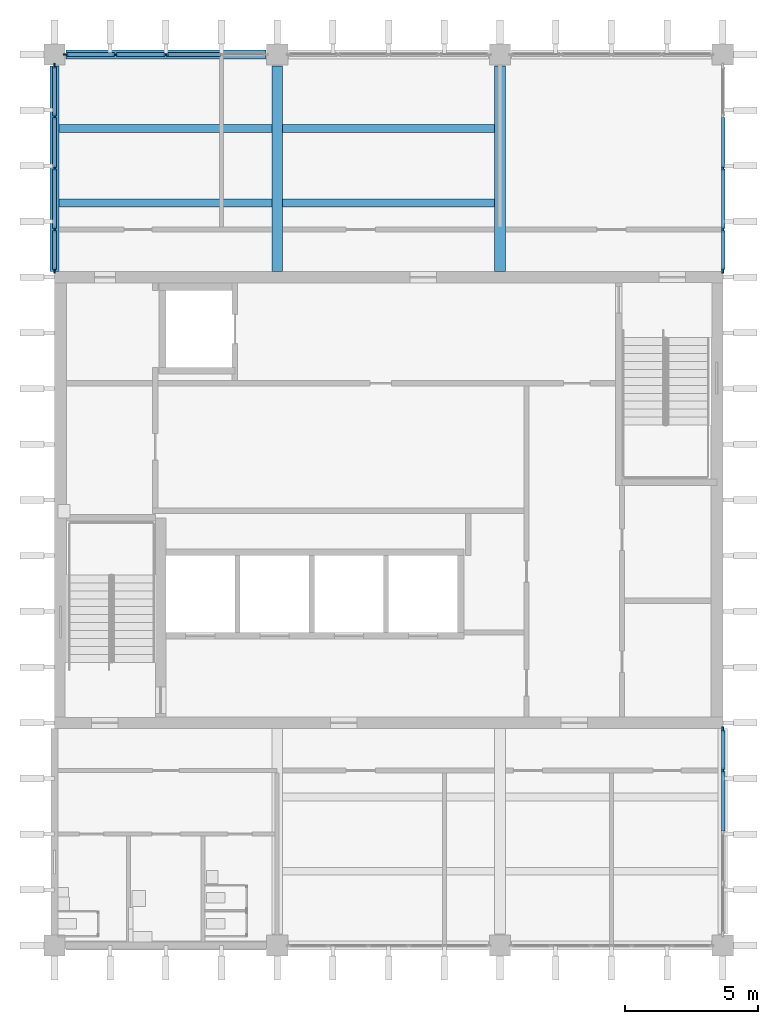
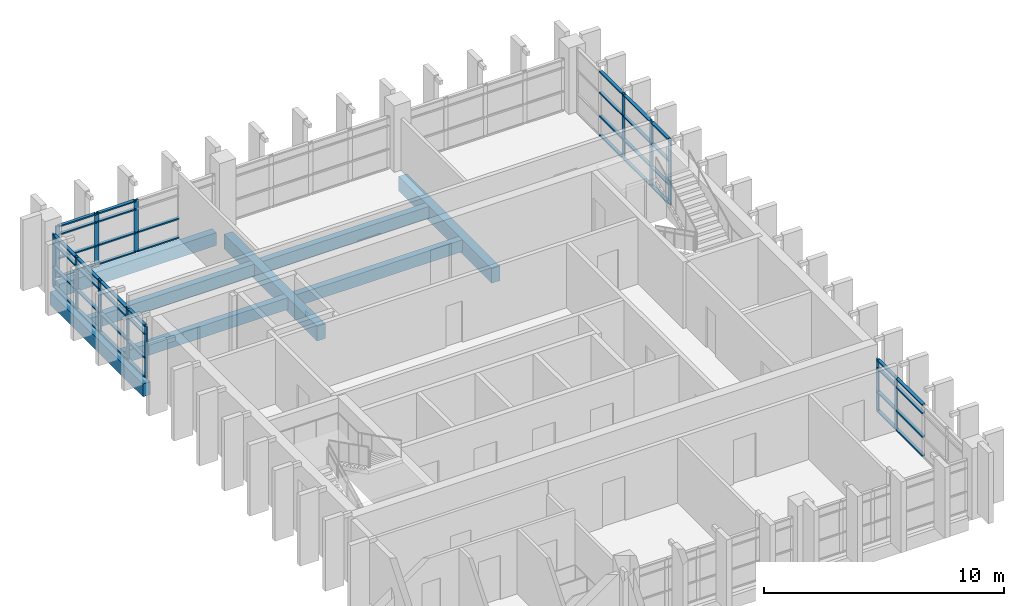
# One storey, part 3 of 11: 59 members, 8 beams, 4 elements without a shape of their own.
"""IFC4 building model written with IfcOpenShell, lengths in metres."""

import ifcopenshell
import ifcopenshell.guid

model = None  # the IFC model being written
_history = None  # IfcOwnerHistory: only IFC2X3 demands one
_inside = {}  # id of a spatial element -> (the spatial element, [elements in it])
_under = {}  # id of a project, library or spatial element -> (it, [spatial elements below it])
_declared = {}  # id of a project -> (the project, [libraries it declares])
_typed = {}  # id of a type object -> (the type object, [elements of that type])
_made_of = {}  # id of a material, layer set ... -> (it, [elements and type objects made of it])


def new_model(schema):
    """Start an empty IFC model of exactly this schema.

    Asked for "IFC4X3", IfcOpenShell would pick the latest addendum, in which some entities
    have other attributes; the version numbers below select the first issue.
    IFC2X3 requires an IfcOwnerHistory on every rooted entity: one is made here for all.
    """
    global model, _history
    if schema == "IFC4X3":
        model = ifcopenshell.file(schema_version=(4, 3, 0, 0))
    else:
        model = ifcopenshell.file(schema=schema)
    _inside.clear()
    _under.clear()
    _declared.clear()
    _typed.clear()
    _made_of.clear()
    _history = None
    if model.schema == "IFC2X3":
        org = make("IfcOrganization", Name="unknown")
        user = make(
            "IfcPersonAndOrganization",
            ThePerson=make("IfcPerson", FamilyName="unknown"),
            TheOrganization=org,
        )
        app = make(
            "IfcApplication",
            ApplicationDeveloper=org,
            Version="unknown",
            ApplicationFullName="unknown",
            ApplicationIdentifier="unknown",
        )
        _history = make(
            "IfcOwnerHistory",
            OwningUser=user,
            OwningApplication=app,
            ChangeAction="ADDED",
            CreationDate=0,
        )
    return model


def make(cls, **values):
    """One entity of the class cls with the attributes given. An attribute that is None is left unset."""
    return model.create_entity(
        cls, **{name: value for name, value in values.items() if value is not None}
    )


def rooted(cls, **values):
    """An entity with a GlobalId (a new one), such as an element, a storey or a relation."""
    return make(cls, GlobalId=ifcopenshell.guid.new(), OwnerHistory=_history, **values)


def si_unit(unit_type, name, prefix=None):
    """IfcSIUnit, for example si_unit("LENGTHUNIT", "METRE", prefix="MILLI")."""
    return make("IfcSIUnit", UnitType=unit_type, Prefix=prefix, Name=name)


def assignment(units):
    """IfcUnitAssignment: the units of a project."""
    return None if units is None else make("IfcUnitAssignment", Units=units)


def point(xyz):
    """IfcCartesianPoint."""
    return None if xyz is None else make("IfcCartesianPoint", Coordinates=xyz)


def direction(xyz):
    """IfcDirection."""
    return None if xyz is None else make("IfcDirection", DirectionRatios=xyz)


def frame(location, z_axis=None, x_axis=None):
    """IfcAxis2Placement3D, a coordinate frame: its origin and axes. An axis left out is left unset."""
    return make(
        "IfcAxis2Placement3D",
        Location=point(location),
        Axis=direction(z_axis),
        RefDirection=direction(x_axis),
    )


def frame_2d(location, x_axis=None):
    """IfcAxis2Placement2D, a coordinate frame in the plane: its origin and x axis."""
    return make(
        "IfcAxis2Placement2D", Location=point(location), RefDirection=direction(x_axis)
    )


def origin():
    """The frame at (0, 0, 0) with its axes left unset."""
    return frame((0.0, 0.0, 0.0))


def origin_2d():
    """The frame at (0, 0) in the plane with its x axis left unset."""
    return frame_2d((0.0, 0.0))


def place(relative_to, where):
    """IfcLocalPlacement: puts the frame where relative to a parent placement (None: the world)."""
    return make(
        "IfcLocalPlacement", PlacementRelTo=relative_to, RelativePlacement=where
    )


def context(
    kind, dimensions, precision=None, world=None, true_north=None, identifier=None
):
    """IfcGeometricRepresentationContext, for example the 3D "Model" context."""
    return make(
        "IfcGeometricRepresentationContext",
        ContextIdentifier=identifier,
        ContextType=kind,
        CoordinateSpaceDimension=dimensions,
        Precision=precision,
        WorldCoordinateSystem=world,
        TrueNorth=true_north,
    )


def subcontext(parent, identifier, kind, view, scale=None):
    """IfcGeometricRepresentationSubContext, for example "Body" below "Model"."""
    return make(
        "IfcGeometricRepresentationSubContext",
        ContextIdentifier=identifier,
        ContextType=kind,
        ParentContext=parent,
        TargetScale=scale,
        TargetView=view,
    )


def project(units=None, contexts=None):
    """IfcProject with its units and contexts."""
    return rooted(
        "IfcProject",
        Name="project",
        RepresentationContexts=contexts,
        UnitsInContext=assignment(units),
    )


def spatial(cls, under=None, at=None, **own):
    """A site, building, storey or space (cls), placed at a placement, below another one or the project."""
    s = rooted(cls, ObjectPlacement=at, **own)
    if under is not None:
        _under.setdefault(under.id(), (under, []))[1].append(s)
    return s


def profile(cls, at=None, kind="AREA", **sizes):
    """A parametric profile (cls). Its sizes go by their IFC names, for example OverallWidth=200.0."""
    return make(cls, ProfileType=kind, Position=at, **sizes)


def rectangle(**sizes):
    """IfcRectangleProfileDef."""
    return profile("IfcRectangleProfileDef", **sizes)


def extrude(swept, where, along, depth):
    """IfcExtrudedAreaSolid: the profile swept, set in the frame where, extruded along a direction by depth."""
    return make(
        "IfcExtrudedAreaSolid",
        SweptArea=swept,
        Position=where,
        ExtrudedDirection=direction(along),
        Depth=depth,
    )


def shape(context_of_items, identifier, shape_type, items):
    """IfcShapeRepresentation: the items that make up one representation, for example the "Body"."""
    return make(
        "IfcShapeRepresentation",
        ContextOfItems=context_of_items,
        RepresentationIdentifier=identifier,
        RepresentationType=shape_type,
        Items=items,
    )


def material(Name=None, Category=None):
    """IfcMaterial."""
    return make("IfcMaterial", Name=Name, Category=Category)


def layer(
    of_material, thickness, ventilated=None, Name=None, Category=None, Priority=None
):
    """IfcMaterialLayer: one layer of a wall or slab, of a material (None: an air gap)."""
    return make(
        "IfcMaterialLayer",
        Material=of_material,
        LayerThickness=thickness,
        IsVentilated=ventilated,
        Name=Name,
        Category=Category,
        Priority=Priority,
    )


def layer_set(layers, Name=None):
    """IfcMaterialLayerSet."""
    return make("IfcMaterialLayerSet", MaterialLayers=layers, LayerSetName=Name)


def material_profile(
    of_material, cross_section, Name=None, Category=None, Priority=None
):
    """IfcMaterialProfile: a cross section and its material."""
    return make(
        "IfcMaterialProfile",
        Name=Name,
        Material=of_material,
        Profile=cross_section,
        Priority=Priority,
        Category=Category,
    )


def profile_set(profiles, Name=None, composite=None):
    """IfcMaterialProfileSet."""
    return make(
        "IfcMaterialProfileSet",
        Name=Name,
        MaterialProfiles=profiles,
        CompositeProfile=composite,
    )


def made_of(thing, what):
    """Note that an element or type object is made of a material, layer set ...; save() writes the relation."""
    if what is not None:
        _made_of.setdefault(what.id(), (what, []))[1].append(thing)
    return thing


def type_object(cls, material=None, **own):
    """A type object (cls), such as IfcWallType, which elements share."""
    return made_of(rooted(cls, **own), material)


def element(
    cls,
    number,
    at=None,
    inside=None,
    cuts=None,
    type_object=None,
    material=None,
    context=None,
    identifier="Body",
    shape_type=None,
    held_by="IfcProductDefinitionShape",
    body=None,
    shapes=None,
    **own,
):
    """One element of the class cls, such as IfcWall. Its Tag is "e" and its number.

    at: its placement. inside: the storey or other place that contains it. cuts: it is an
    opening in that element (IfcRelVoidsElement). A single representation is given by context,
    identifier, shape_type and body (its items); several are given by shapes. held_by: the class
    of the entity that holds the representations. save() writes the other relations.
    """
    e = rooted(cls, Tag="e%d" % number, ObjectPlacement=at, **own)
    if body is not None:
        shapes = [shape(context, identifier, shape_type, body)]
    if shapes is not None:
        e.Representation = make(held_by, Representations=shapes)
    if inside is not None:
        _inside.setdefault(inside.id(), (inside, []))[1].append(e)
    if cuts is not None:
        rooted(
            "IfcRelVoidsElement", RelatingBuildingElement=cuts, RelatedOpeningElement=e
        )
    if type_object is not None:
        _typed.setdefault(type_object.id(), (type_object, []))[1].append(e)
    return made_of(e, material)


def aggregate(whole, parts):
    """IfcRelAggregates: a whole, such as a stair, and the parts it consists of."""
    return rooted("IfcRelAggregates", RelatingObject=whole, RelatedObjects=parts)


def save(model, path):
    """Write the relations noted so far, then the file.

    IfcRelAggregates (storeys below a building ...), IfcRelContainedInSpatialStructure (elements
    in a storey), IfcRelDefinesByType, IfcRelAssociatesMaterial and IfcRelDeclares: one each for
    every whole, place, type object, material and project.
    """
    for whole, parts in _under.values():
        aggregate(whole, parts)
    for where, things in _inside.values():
        rooted(
            "IfcRelContainedInSpatialStructure",
            RelatedElements=things,
            RelatingStructure=where,
        )
    for kind, things in _typed.values():
        rooted("IfcRelDefinesByType", RelatedObjects=things, RelatingType=kind)
    for what, things in _made_of.values():
        rooted("IfcRelAssociatesMaterial", RelatedObjects=things, RelatingMaterial=what)
    for by, libraries in _declared.values():
        rooted("IfcRelDeclares", RelatingContext=by, RelatedDefinitions=libraries)
    model.write(path)


model = new_model("IFC4")

# Units and contexts
model_context = context("Model", 3, precision=1e-05, world=origin(), true_north=direction((0.0, 1.0)))
body_context = subcontext(model_context, "Body", "Model", "MODEL_VIEW")
ifc_project = project(units=[si_unit("LENGTHUNIT", "METRE"), si_unit("AREAUNIT", "SQUARE_METRE"), si_unit("VOLUMEUNIT", "CUBIC_METRE"), si_unit("PLANEANGLEUNIT", "RADIAN"), si_unit("MASSUNIT", "GRAM", prefix="KILO")], contexts=[model_context])

# Site, building, storey
site_placement = place(None, origin())
site = spatial("IfcSite", under=ifc_project, at=site_placement, CompositionType="ELEMENT")
building_placement = place(site_placement, origin())
building = spatial("IfcBuilding", under=site, at=building_placement, Name="Rulbaag Community and Learning Centre", CompositionType="ELEMENT")
storey_placement = place(building_placement, frame((0.0, 0.0, 36.0)))
storey = spatial("IfcBuildingStorey", under=building, at=storey_placement, Name="L09", CompositionType="ELEMENT", Elevation=36.0)

# Beams
ifc_material_1 = material(Name="Concrete M40", Category="concrete")
ifc_material_profile_1 = material_profile(ifc_material_1, rectangle(XDim=0.35009765625, YDim=0.64990234375, at=origin_2d()), Name="RB350x650")
ifc_profile_set_1 = profile_set([ifc_material_profile_1], Name="Concrete M40")
beam_type_1 = type_object("IfcBeamType", Name="B14 Tower edge beam, upper zone 350x650 Concrete M40", PredefinedType="BEAM", material=ifc_profile_set_1)
beam_1_placement = place(storey_placement, frame((142.800048828125, 109.425048828125, -0.574951171875), z_axis=(0.0, 1.0, 0.0), x_axis=(-1.0, 0.0, 0.0)))
element("IfcBeam", 1, at=beam_1_placement, inside=storey, type_object=beam_type_1, Name="BM-L09-18N-18O", PredefinedType="BEAM", context=body_context, shape_type="SweptSolid", body=[
    extrude(rectangle(XDim=0.35009765625, YDim=0.64990234375, at=origin_2d()), origin(), (0.0, 0.0, 1.0), 7.744873046875),
])
beam_2_placement = place(storey_placement, frame((143.22998046875, 117.60009765625, -0.574951171875), z_axis=(1.0, 0.0, 0.0), x_axis=(0.0, 1.0, 0.0)))
element("IfcBeam", 2, at=beam_2_placement, inside=storey, type_object=beam_type_1, Name="BM-L09-18O-19O", PredefinedType="BEAM", context=body_context, shape_type="SweptSolid", body=[
    extrude(rectangle(XDim=0.35009765625, YDim=0.64990234375, at=origin_2d()), origin(), (0.0, 0.0, 1.0), 7.5400390625),
])
ifc_material_profile_2 = material_profile(ifc_material_1, rectangle(XDim=0.39990234375, YDim=0.75, at=origin_2d()), Name="RB400x750")
ifc_profile_set_2 = profile_set([ifc_material_profile_2], Name="Concrete M40")
beam_type_2 = type_object("IfcBeamType", Name="B15 Tower frame beam, middle zone 400x750 Concrete M40", PredefinedType="BEAM", material=ifc_profile_set_2)
for number, where, z_axis, x_axis, name in (
    (3, (151.199951171875, 109.425048828125, -0.625), (0.0, 1.0, 0.0), (-1.0, 0.0, 0.0), "BM-L09-19N-19O"),
    (4, (159.60009765625, 109.425048828125, -0.625), (0.0, 1.0, 0.0), (-1.0, 0.0, 0.0), "BM-L09-20N-20O"),
):
    element("IfcBeam", number, at=place(storey_placement, frame(where, z_axis=z_axis, x_axis=x_axis)), inside=storey, type_object=beam_type_2, Name=name, PredefinedType="BEAM", context=body_context, shape_type="SweptSolid", body=[
        extrude(rectangle(XDim=0.39990234375, YDim=0.75, at=origin_2d()), origin(), (0.0, 0.0, 1.0), 7.744873046875),
    ])
ifc_material_profile_3 = material_profile(ifc_material_1, rectangle(XDim=0.300048828125, YDim=0.60009765625, at=origin_2d()), Name="RB300x600")
ifc_profile_set_3 = profile_set([ifc_material_profile_3], Name="Concrete M40")
beam_type_3 = type_object("IfcBeamType", Name="B30 Secondary joist 300x600 Concrete M40", PredefinedType="BEAM", material=ifc_profile_set_3)
for number, where, z_axis, x_axis, name in (
    (5, (142.97509765625, 112.0, -0.550048828125), (1.0, 0.0, 0.0), (0.0, 1.0, 0.0), "BM-JS-L09-18N-1"),
    (6, (142.97509765625, 114.800048828125, -0.550048828125), (1.0, 0.0, 0.0), (0.0, 1.0, 0.0), "BM-JS-L09-18N-2"),
):
    element("IfcBeam", number, at=place(storey_placement, frame(where, z_axis=z_axis, x_axis=x_axis)), inside=storey, type_object=beam_type_3, Name=name, PredefinedType="BEAM", context=body_context, shape_type="SweptSolid", body=[
        extrude(rectangle(XDim=0.300048828125, YDim=0.60009765625, at=origin_2d()), origin(), (0.0, 0.0, 1.0), 8.02490234375),
    ])
for number, where, z_axis, x_axis, name in (
    (7, (151.39990234375, 112.0, -0.550048828125), (1.0, 0.0, 0.0), (0.0, 1.0, 0.0), "BM-JS-L09-19N-1"),
    (8, (151.39990234375, 114.800048828125, -0.550048828125), (1.0, 0.0, 0.0), (0.0, 1.0, 0.0), "BM-JS-L09-19N-2"),
):
    element("IfcBeam", number, at=place(storey_placement, frame(where, z_axis=z_axis, x_axis=x_axis)), inside=storey, type_object=beam_type_3, Name=name, PredefinedType="BEAM", context=body_context, shape_type="SweptSolid", body=[
        extrude(rectangle(XDim=0.300048828125, YDim=0.60009765625, at=origin_2d()), origin(), (0.0, 0.0, 1.0), 8.0),
    ])

# Curtain wall, members
ifc_material_2 = material(Name="Aluminium", Category="aluminium")
ifc_layer = layer(ifc_material_2, 0.14990234375)
ifc_layer_set = layer_set([ifc_layer], Name="CW-T")
curtain_wall_type = type_object("IfcCurtainWallType", Name="CW-T", PredefinedType="USERDEFINED", material=ifc_layer_set)
curtain_wall_1_placement = place(storey_placement, origin())
curtain_wall_1 = element("IfcCurtainWall", 9, at=curtain_wall_1_placement, inside=storey, type_object=curtain_wall_type, Name="GT-L09-01", ObjectType="UNITISED CURTAIN WALL", PredefinedType="USERDEFINED")
ifc_material_3 = material(Name="Aluminium mullion", Category="aluminium")
ifc_material_profile_4 = material_profile(ifc_material_3, rectangle(XDim=0.06494140625, YDim=0.199951171875, at=origin_2d()), Name="AL 65x200")
ifc_profile_set_4 = profile_set([ifc_material_profile_4], Name="Aluminium mullion")
member_type_1 = type_object("IfcMemberType", Name="CW-T-MUL", PredefinedType="MULLION", material=ifc_profile_set_4)
member_1_placement = place(storey_placement, frame((143.232421875, 117.60009765625, 0.0), z_axis=(0.0, 0.0, 1.0), x_axis=(0.0, 1.0, 0.0)))
member_1 = element("IfcMember", 10, at=member_1_placement, type_object=member_type_1, Name="GT mullion 1", PredefinedType="MULLION", context=body_context, shape_type="SweptSolid", body=[
    extrude(rectangle(XDim=0.06494140625, YDim=0.199951171875, at=origin_2d()), origin(), (0.0, 0.0, 1.0), 2.64990234375),
])
member_2_placement = place(storey_placement, frame((145.10009765625, 117.60009765625, 0.0), z_axis=(0.0, 0.0, 1.0), x_axis=(0.0, 1.0, 0.0)))
member_2 = element("IfcMember", 11, at=member_2_placement, type_object=member_type_1, Name="GT mullion 2", PredefinedType="MULLION", context=body_context, shape_type="SweptSolid", body=[
    extrude(rectangle(XDim=0.06494140625, YDim=0.199951171875, at=origin_2d()), origin(), (0.0, 0.0, 1.0), 2.64990234375),
])
member_3_placement = place(storey_placement, frame((147.0, 117.60009765625, 0.0), z_axis=(0.0, 0.0, 1.0), x_axis=(0.0, 1.0, 0.0)))
member_3 = element("IfcMember", 12, at=member_3_placement, type_object=member_type_1, Name="GT mullion 3", PredefinedType="MULLION", context=body_context, shape_type="SweptSolid", body=[
    extrude(rectangle(XDim=0.06494140625, YDim=0.199951171875, at=origin_2d()), origin(), (0.0, 0.0, 1.0), 2.64990234375),
])

curtain_wall_2_placement = place(storey_placement, origin())
curtain_wall_2 = element("IfcCurtainWall", 13, at=curtain_wall_2_placement, inside=storey, type_object=curtain_wall_type, Name="GT-L09-04", ObjectType="UNITISED CURTAIN WALL", PredefinedType="USERDEFINED")
member_4_placement = place(storey_placement, frame((142.800048828125, 109.45751953125, 0.0), z_axis=(0.0, 0.0, 1.0), x_axis=(-1.0, 0.0, 0.0)))
member_4 = element("IfcMember", 14, at=member_4_placement, type_object=member_type_1, Name="GT mullion 1", PredefinedType="MULLION", context=body_context, shape_type="SweptSolid", body=[
    extrude(rectangle(XDim=0.06494140625, YDim=0.199951171875, at=origin_2d()), origin(), (0.0, 0.0, 1.0), 2.64990234375),
])
member_5_placement = place(storey_placement, frame((142.800048828125, 111.0, 0.0), z_axis=(0.0, 0.0, 1.0), x_axis=(-1.0, 0.0, 0.0)))
member_5 = element("IfcMember", 15, at=member_5_placement, type_object=member_type_1, Name="GT mullion 2", PredefinedType="MULLION", context=body_context, shape_type="SweptSolid", body=[
    extrude(rectangle(XDim=0.06494140625, YDim=0.199951171875, at=origin_2d()), origin(), (0.0, 0.0, 1.0), 2.64990234375),
])
member_6_placement = place(storey_placement, frame((142.800048828125, 113.3125, 0.0), z_axis=(0.0, 0.0, 1.0), x_axis=(-1.0, 0.0, 0.0)))
member_6 = element("IfcMember", 16, at=member_6_placement, type_object=member_type_1, Name="GT mullion 3", PredefinedType="MULLION", context=body_context, shape_type="SweptSolid", body=[
    extrude(rectangle(XDim=0.06494140625, YDim=0.199951171875, at=origin_2d()), origin(), (0.0, 0.0, 1.0), 2.64990234375),
])
member_7_placement = place(storey_placement, frame((142.800048828125, 115.25634765625, 0.0), z_axis=(0.0, 0.0, 1.0), x_axis=(-1.0, 0.0, 0.0)))
member_7 = element("IfcMember", 17, at=member_7_placement, type_object=member_type_1, Name="GT mullion 4", PredefinedType="MULLION", context=body_context, shape_type="SweptSolid", body=[
    extrude(rectangle(XDim=0.06494140625, YDim=0.199951171875, at=origin_2d()), origin(), (0.0, 0.0, 1.0), 2.64990234375),
])
member_8_placement = place(storey_placement, frame((142.800048828125, 117.16748046875, 0.0), z_axis=(0.0, 0.0, 1.0), x_axis=(-1.0, 0.0, 0.0)))
member_8 = element("IfcMember", 18, at=member_8_placement, type_object=member_type_1, Name="GT mullion 5", PredefinedType="MULLION", context=body_context, shape_type="SweptSolid", body=[
    extrude(rectangle(XDim=0.06494140625, YDim=0.199951171875, at=origin_2d()), origin(), (0.0, 0.0, 1.0), 2.64990234375),
])

curtain_wall_3_placement = place(storey_placement, origin())
curtain_wall_3 = element("IfcCurtainWall", 19, at=curtain_wall_3_placement, inside=storey, type_object=curtain_wall_type, Name="GT-L09-05", ObjectType="UNITISED CURTAIN WALL", PredefinedType="USERDEFINED")
member_9_placement = place(storey_placement, frame((168.0, 90.60009765625, 0.0), z_axis=(0.0, 0.0, 1.0), x_axis=(-1.0, 0.0, 0.0)))
member_9 = element("IfcMember", 20, at=member_9_placement, type_object=member_type_1, Name="GT mullion 4", PredefinedType="MULLION", context=body_context, shape_type="SweptSolid", body=[
    extrude(rectangle(XDim=0.06494140625, YDim=0.199951171875, at=origin_2d()), origin(), (0.0, 0.0, 1.0), 2.64990234375),
])
member_10_placement = place(storey_placement, frame((168.0, 92.142578125, 0.0), z_axis=(0.0, 0.0, 1.0), x_axis=(-1.0, 0.0, 0.0)))
member_10 = element("IfcMember", 21, at=member_10_placement, type_object=member_type_1, Name="GT mullion 5", PredefinedType="MULLION", context=body_context, shape_type="SweptSolid", body=[
    extrude(rectangle(XDim=0.06494140625, YDim=0.199951171875, at=origin_2d()), origin(), (0.0, 0.0, 1.0), 2.64990234375),
])

curtain_wall_4_placement = place(storey_placement, origin())
curtain_wall_4 = element("IfcCurtainWall", 22, at=curtain_wall_4_placement, inside=storey, type_object=curtain_wall_type, Name="GT-L09-06", ObjectType="UNITISED CURTAIN WALL", PredefinedType="USERDEFINED")
member_11_placement = place(storey_placement, frame((168.0, 109.45751953125, 0.0), z_axis=(0.0, 0.0, 1.0), x_axis=(-1.0, 0.0, 0.0)))
member_11 = element("IfcMember", 23, at=member_11_placement, type_object=member_type_1, Name="GT mullion 1", PredefinedType="MULLION", context=body_context, shape_type="SweptSolid", body=[
    extrude(rectangle(XDim=0.06494140625, YDim=0.199951171875, at=origin_2d()), origin(), (0.0, 0.0, 1.0), 3.300048828125),
])
member_12_placement = place(storey_placement, frame((168.0, 111.0, 0.0), z_axis=(0.0, 0.0, 1.0), x_axis=(-1.0, 0.0, 0.0)))
member_12 = element("IfcMember", 24, at=member_12_placement, type_object=member_type_1, Name="GT mullion 2", PredefinedType="MULLION", context=body_context, shape_type="SweptSolid", body=[
    extrude(rectangle(XDim=0.06494140625, YDim=0.199951171875, at=origin_2d()), origin(), (0.0, 0.0, 1.0), 3.300048828125),
])
member_13_placement = place(storey_placement, frame((168.0, 113.3125, 0.0), z_axis=(0.0, 0.0, 1.0), x_axis=(-1.0, 0.0, 0.0)))
member_13 = element("IfcMember", 25, at=member_13_placement, type_object=member_type_1, Name="GT mullion 3", PredefinedType="MULLION", context=body_context, shape_type="SweptSolid", body=[
    extrude(rectangle(XDim=0.06494140625, YDim=0.199951171875, at=origin_2d()), origin(), (0.0, 0.0, 1.0), 3.300048828125),
])

# Member
ifc_material_4 = material(Name="Aluminium transom", Category="aluminium")
ifc_material_profile_5 = material_profile(ifc_material_4, rectangle(XDim=0.14990234375, YDim=0.06494140625, at=origin_2d()), Name="AL 65x150 T")
ifc_profile_set_5 = profile_set([ifc_material_profile_5], Name="Aluminium transom")
member_type_2 = type_object("IfcMemberType", Name="CW-T-TRN", PredefinedType="USERDEFINED", material=ifc_profile_set_5)
member_14_placement = place(storey_placement, frame((143.264892578125, 117.60009765625, 0.032470703125), z_axis=(1.0, 0.0, 0.0), x_axis=(0.0, 1.0, 0.0)))
member_14 = element("IfcMember", 26, at=member_14_placement, type_object=member_type_2, Name="GT transom 1.1", ObjectType="TRANSOM", PredefinedType="USERDEFINED", context=body_context, shape_type="SweptSolid", body=[
    extrude(rectangle(XDim=0.14990234375, YDim=0.06494140625, at=origin_2d()), origin(), (0.0, 0.0, 1.0), 1.802490234375),
])

member_15_placement = place(storey_placement, frame((143.264892578125, 117.60009765625, 1.0), z_axis=(1.0, 0.0, 0.0), x_axis=(0.0, 1.0, 0.0)))
member_15 = element("IfcMember", 27, at=member_15_placement, type_object=member_type_2, Name="GT transom 1.2", ObjectType="TRANSOM", PredefinedType="USERDEFINED", context=body_context, shape_type="SweptSolid", body=[
    extrude(rectangle(XDim=0.14990234375, YDim=0.06494140625, at=origin_2d()), origin(), (0.0, 0.0, 1.0), 1.802490234375),
])

member_16_placement = place(storey_placement, frame((143.264892578125, 117.60009765625, 2.199951171875), z_axis=(1.0, 0.0, 0.0), x_axis=(0.0, 1.0, 0.0)))
member_16 = element("IfcMember", 28, at=member_16_placement, type_object=member_type_2, Name="GT transom 1.3", ObjectType="TRANSOM", PredefinedType="USERDEFINED", context=body_context, shape_type="SweptSolid", body=[
    extrude(rectangle(XDim=0.14990234375, YDim=0.06494140625, at=origin_2d()), origin(), (0.0, 0.0, 1.0), 1.802490234375),
])

member_17_placement = place(storey_placement, frame((143.264892578125, 117.60009765625, 2.617431640625), z_axis=(1.0, 0.0, 0.0), x_axis=(0.0, 1.0, 0.0)))
member_17 = element("IfcMember", 29, at=member_17_placement, type_object=member_type_2, Name="GT transom 1.4", ObjectType="TRANSOM", PredefinedType="USERDEFINED", context=body_context, shape_type="SweptSolid", body=[
    extrude(rectangle(XDim=0.14990234375, YDim=0.06494140625, at=origin_2d()), origin(), (0.0, 0.0, 1.0), 1.802490234375),
])

member_18_placement = place(storey_placement, frame((145.132568359375, 117.60009765625, 0.032470703125), z_axis=(1.0, 0.0, 0.0), x_axis=(0.0, 1.0, 0.0)))
member_18 = element("IfcMember", 30, at=member_18_placement, type_object=member_type_2, Name="GT transom 2.1", ObjectType="TRANSOM", PredefinedType="USERDEFINED", context=body_context, shape_type="SweptSolid", body=[
    extrude(rectangle(XDim=0.14990234375, YDim=0.06494140625, at=origin_2d()), origin(), (0.0, 0.0, 1.0), 1.8349609375),
])

member_19_placement = place(storey_placement, frame((145.132568359375, 117.60009765625, 1.0), z_axis=(1.0, 0.0, 0.0), x_axis=(0.0, 1.0, 0.0)))
member_19 = element("IfcMember", 31, at=member_19_placement, type_object=member_type_2, Name="GT transom 2.2", ObjectType="TRANSOM", PredefinedType="USERDEFINED", context=body_context, shape_type="SweptSolid", body=[
    extrude(rectangle(XDim=0.14990234375, YDim=0.06494140625, at=origin_2d()), origin(), (0.0, 0.0, 1.0), 1.8349609375),
])

member_20_placement = place(storey_placement, frame((145.132568359375, 117.60009765625, 2.199951171875), z_axis=(1.0, 0.0, 0.0), x_axis=(0.0, 1.0, 0.0)))
member_20 = element("IfcMember", 32, at=member_20_placement, type_object=member_type_2, Name="GT transom 2.3", ObjectType="TRANSOM", PredefinedType="USERDEFINED", context=body_context, shape_type="SweptSolid", body=[
    extrude(rectangle(XDim=0.14990234375, YDim=0.06494140625, at=origin_2d()), origin(), (0.0, 0.0, 1.0), 1.8349609375),
])

member_21_placement = place(storey_placement, frame((145.132568359375, 117.60009765625, 2.617431640625), z_axis=(1.0, 0.0, 0.0), x_axis=(0.0, 1.0, 0.0)))
member_21 = element("IfcMember", 33, at=member_21_placement, type_object=member_type_2, Name="GT transom 2.4", ObjectType="TRANSOM", PredefinedType="USERDEFINED", context=body_context, shape_type="SweptSolid", body=[
    extrude(rectangle(XDim=0.14990234375, YDim=0.06494140625, at=origin_2d()), origin(), (0.0, 0.0, 1.0), 1.8349609375),
])

member_22_placement = place(storey_placement, frame((147.032470703125, 117.60009765625, 0.032470703125), z_axis=(1.0, 0.0, 0.0), x_axis=(0.0, 1.0, 0.0)))
member_22 = element("IfcMember", 34, at=member_22_placement, type_object=member_type_2, Name="GT transom 3.1", ObjectType="TRANSOM", PredefinedType="USERDEFINED", context=body_context, shape_type="SweptSolid", body=[
    extrude(rectangle(XDim=0.14990234375, YDim=0.06494140625, at=origin_2d()), origin(), (0.0, 0.0, 1.0), 2.034912109375),
])

member_23_placement = place(storey_placement, frame((147.032470703125, 117.60009765625, 1.0), z_axis=(1.0, 0.0, 0.0), x_axis=(0.0, 1.0, 0.0)))
member_23 = element("IfcMember", 35, at=member_23_placement, type_object=member_type_2, Name="GT transom 3.2", ObjectType="TRANSOM", PredefinedType="USERDEFINED", context=body_context, shape_type="SweptSolid", body=[
    extrude(rectangle(XDim=0.14990234375, YDim=0.06494140625, at=origin_2d()), origin(), (0.0, 0.0, 1.0), 2.034912109375),
])

aggregate(curtain_wall_1, [member_1, member_2, member_3, member_14, member_15, member_16, member_17, member_18, member_19, member_20, member_21, member_22, member_23])

member_24_placement = place(storey_placement, frame((142.800048828125, 109.489990234375, 0.032470703125), z_axis=(0.0, 1.0, 0.0), x_axis=(-1.0, 0.0, 0.0)))
member_24 = element("IfcMember", 36, at=member_24_placement, type_object=member_type_2, Name="GT transom 1.1", ObjectType="TRANSOM", PredefinedType="USERDEFINED", context=body_context, shape_type="SweptSolid", body=[
    extrude(rectangle(XDim=0.14990234375, YDim=0.06494140625, at=origin_2d()), origin(), (0.0, 0.0, 1.0), 1.4775390625),
])

member_25_placement = place(storey_placement, frame((142.800048828125, 109.489990234375, 1.0), z_axis=(0.0, 1.0, 0.0), x_axis=(-1.0, 0.0, 0.0)))
member_25 = element("IfcMember", 37, at=member_25_placement, type_object=member_type_2, Name="GT transom 1.2", ObjectType="TRANSOM", PredefinedType="USERDEFINED", context=body_context, shape_type="SweptSolid", body=[
    extrude(rectangle(XDim=0.14990234375, YDim=0.06494140625, at=origin_2d()), origin(), (0.0, 0.0, 1.0), 1.4775390625),
])

member_26_placement = place(storey_placement, frame((142.800048828125, 109.489990234375, 2.199951171875), z_axis=(0.0, 1.0, 0.0), x_axis=(-1.0, 0.0, 0.0)))
member_26 = element("IfcMember", 38, at=member_26_placement, type_object=member_type_2, Name="GT transom 1.3", ObjectType="TRANSOM", PredefinedType="USERDEFINED", context=body_context, shape_type="SweptSolid", body=[
    extrude(rectangle(XDim=0.14990234375, YDim=0.06494140625, at=origin_2d()), origin(), (0.0, 0.0, 1.0), 1.4775390625),
])

member_27_placement = place(storey_placement, frame((142.800048828125, 109.489990234375, 2.617431640625), z_axis=(0.0, 1.0, 0.0), x_axis=(-1.0, 0.0, 0.0)))
member_27 = element("IfcMember", 39, at=member_27_placement, type_object=member_type_2, Name="GT transom 1.4", ObjectType="TRANSOM", PredefinedType="USERDEFINED", context=body_context, shape_type="SweptSolid", body=[
    extrude(rectangle(XDim=0.14990234375, YDim=0.06494140625, at=origin_2d()), origin(), (0.0, 0.0, 1.0), 1.4775390625),
])

member_28_placement = place(storey_placement, frame((142.800048828125, 111.032470703125, 0.032470703125), z_axis=(0.0, 1.0, 0.0), x_axis=(-1.0, 0.0, 0.0)))
member_28 = element("IfcMember", 40, at=member_28_placement, type_object=member_type_2, Name="GT transom 2.1", ObjectType="TRANSOM", PredefinedType="USERDEFINED", context=body_context, shape_type="SweptSolid", body=[
    extrude(rectangle(XDim=0.14990234375, YDim=0.06494140625, at=origin_2d()), origin(), (0.0, 0.0, 1.0), 2.24755859375),
])

member_29_placement = place(storey_placement, frame((142.800048828125, 111.032470703125, 1.0), z_axis=(0.0, 1.0, 0.0), x_axis=(-1.0, 0.0, 0.0)))
member_29 = element("IfcMember", 41, at=member_29_placement, type_object=member_type_2, Name="GT transom 2.2", ObjectType="TRANSOM", PredefinedType="USERDEFINED", context=body_context, shape_type="SweptSolid", body=[
    extrude(rectangle(XDim=0.14990234375, YDim=0.06494140625, at=origin_2d()), origin(), (0.0, 0.0, 1.0), 2.24755859375),
])

member_30_placement = place(storey_placement, frame((142.800048828125, 111.032470703125, 2.199951171875), z_axis=(0.0, 1.0, 0.0), x_axis=(-1.0, 0.0, 0.0)))
member_30 = element("IfcMember", 42, at=member_30_placement, type_object=member_type_2, Name="GT transom 2.3", ObjectType="TRANSOM", PredefinedType="USERDEFINED", context=body_context, shape_type="SweptSolid", body=[
    extrude(rectangle(XDim=0.14990234375, YDim=0.06494140625, at=origin_2d()), origin(), (0.0, 0.0, 1.0), 2.24755859375),
])

member_31_placement = place(storey_placement, frame((142.800048828125, 111.032470703125, 2.617431640625), z_axis=(0.0, 1.0, 0.0), x_axis=(-1.0, 0.0, 0.0)))
member_31 = element("IfcMember", 43, at=member_31_placement, type_object=member_type_2, Name="GT transom 2.4", ObjectType="TRANSOM", PredefinedType="USERDEFINED", context=body_context, shape_type="SweptSolid", body=[
    extrude(rectangle(XDim=0.14990234375, YDim=0.06494140625, at=origin_2d()), origin(), (0.0, 0.0, 1.0), 2.24755859375),
])

member_32_placement = place(storey_placement, frame((142.800048828125, 113.344970703125, 0.032470703125), z_axis=(0.0, 1.0, 0.0), x_axis=(-1.0, 0.0, 0.0)))
member_32 = element("IfcMember", 44, at=member_32_placement, type_object=member_type_2, Name="GT transom 3.1", ObjectType="TRANSOM", PredefinedType="USERDEFINED", context=body_context, shape_type="SweptSolid", body=[
    extrude(rectangle(XDim=0.14990234375, YDim=0.06494140625, at=origin_2d()), origin(), (0.0, 0.0, 1.0), 1.878662109375),
])

member_33_placement = place(storey_placement, frame((142.800048828125, 113.344970703125, 1.0), z_axis=(0.0, 1.0, 0.0), x_axis=(-1.0, 0.0, 0.0)))
member_33 = element("IfcMember", 45, at=member_33_placement, type_object=member_type_2, Name="GT transom 3.2", ObjectType="TRANSOM", PredefinedType="USERDEFINED", context=body_context, shape_type="SweptSolid", body=[
    extrude(rectangle(XDim=0.14990234375, YDim=0.06494140625, at=origin_2d()), origin(), (0.0, 0.0, 1.0), 1.878662109375),
])

member_34_placement = place(storey_placement, frame((142.800048828125, 113.344970703125, 2.199951171875), z_axis=(0.0, 1.0, 0.0), x_axis=(-1.0, 0.0, 0.0)))
member_34 = element("IfcMember", 46, at=member_34_placement, type_object=member_type_2, Name="GT transom 3.3", ObjectType="TRANSOM", PredefinedType="USERDEFINED", context=body_context, shape_type="SweptSolid", body=[
    extrude(rectangle(XDim=0.14990234375, YDim=0.06494140625, at=origin_2d()), origin(), (0.0, 0.0, 1.0), 1.878662109375),
])

member_35_placement = place(storey_placement, frame((142.800048828125, 113.344970703125, 2.617431640625), z_axis=(0.0, 1.0, 0.0), x_axis=(-1.0, 0.0, 0.0)))
member_35 = element("IfcMember", 47, at=member_35_placement, type_object=member_type_2, Name="GT transom 3.4", ObjectType="TRANSOM", PredefinedType="USERDEFINED", context=body_context, shape_type="SweptSolid", body=[
    extrude(rectangle(XDim=0.14990234375, YDim=0.06494140625, at=origin_2d()), origin(), (0.0, 0.0, 1.0), 1.878662109375),
])

member_36_placement = place(storey_placement, frame((142.800048828125, 115.288818359375, 0.032470703125), z_axis=(0.0, 1.0, 0.0), x_axis=(-1.0, 0.0, 0.0)))
member_36 = element("IfcMember", 48, at=member_36_placement, type_object=member_type_2, Name="GT transom 4.1", ObjectType="TRANSOM", PredefinedType="USERDEFINED", context=body_context, shape_type="SweptSolid", body=[
    extrude(rectangle(XDim=0.14990234375, YDim=0.06494140625, at=origin_2d()), origin(), (0.0, 0.0, 1.0), 1.84619140625),
])

member_37_placement = place(storey_placement, frame((142.800048828125, 115.288818359375, 1.0), z_axis=(0.0, 1.0, 0.0), x_axis=(-1.0, 0.0, 0.0)))
member_37 = element("IfcMember", 49, at=member_37_placement, type_object=member_type_2, Name="GT transom 4.2", ObjectType="TRANSOM", PredefinedType="USERDEFINED", context=body_context, shape_type="SweptSolid", body=[
    extrude(rectangle(XDim=0.14990234375, YDim=0.06494140625, at=origin_2d()), origin(), (0.0, 0.0, 1.0), 1.84619140625),
])

member_38_placement = place(storey_placement, frame((142.800048828125, 115.288818359375, 2.199951171875), z_axis=(0.0, 1.0, 0.0), x_axis=(-1.0, 0.0, 0.0)))
member_38 = element("IfcMember", 50, at=member_38_placement, type_object=member_type_2, Name="GT transom 4.3", ObjectType="TRANSOM", PredefinedType="USERDEFINED", context=body_context, shape_type="SweptSolid", body=[
    extrude(rectangle(XDim=0.14990234375, YDim=0.06494140625, at=origin_2d()), origin(), (0.0, 0.0, 1.0), 1.84619140625),
])

member_39_placement = place(storey_placement, frame((142.800048828125, 115.288818359375, 2.617431640625), z_axis=(0.0, 1.0, 0.0), x_axis=(-1.0, 0.0, 0.0)))
member_39 = element("IfcMember", 51, at=member_39_placement, type_object=member_type_2, Name="GT transom 4.4", ObjectType="TRANSOM", PredefinedType="USERDEFINED", context=body_context, shape_type="SweptSolid", body=[
    extrude(rectangle(XDim=0.14990234375, YDim=0.06494140625, at=origin_2d()), origin(), (0.0, 0.0, 1.0), 1.84619140625),
])

aggregate(curtain_wall_2, [member_4, member_5, member_6, member_7, member_8, member_24, member_25, member_26, member_27, member_28, member_29, member_30, member_31, member_32, member_33, member_34, member_35, member_36, member_37, member_38, member_39])

member_40_placement = place(storey_placement, frame((168.0, 88.320068359375, 0.032470703125), z_axis=(0.0, 1.0, 0.0), x_axis=(-1.0, 0.0, 0.0)))
member_40 = element("IfcMember", 52, at=member_40_placement, type_object=member_type_2, Name="GT transom 3.1", ObjectType="TRANSOM", PredefinedType="USERDEFINED", context=body_context, shape_type="SweptSolid", body=[
    extrude(rectangle(XDim=0.14990234375, YDim=0.06494140625, at=origin_2d()), origin(), (0.0, 0.0, 1.0), 2.247314453125),
])

member_41_placement = place(storey_placement, frame((168.0, 88.320068359375, 1.0), z_axis=(0.0, 1.0, 0.0), x_axis=(-1.0, 0.0, 0.0)))
member_41 = element("IfcMember", 53, at=member_41_placement, type_object=member_type_2, Name="GT transom 3.2", ObjectType="TRANSOM", PredefinedType="USERDEFINED", context=body_context, shape_type="SweptSolid", body=[
    extrude(rectangle(XDim=0.14990234375, YDim=0.06494140625, at=origin_2d()), origin(), (0.0, 0.0, 1.0), 2.247314453125),
])

member_42_placement = place(storey_placement, frame((168.0, 88.320068359375, 2.199951171875), z_axis=(0.0, 1.0, 0.0), x_axis=(-1.0, 0.0, 0.0)))
member_42 = element("IfcMember", 54, at=member_42_placement, type_object=member_type_2, Name="GT transom 3.3", ObjectType="TRANSOM", PredefinedType="USERDEFINED", context=body_context, shape_type="SweptSolid", body=[
    extrude(rectangle(XDim=0.14990234375, YDim=0.06494140625, at=origin_2d()), origin(), (0.0, 0.0, 1.0), 2.247314453125),
])

member_43_placement = place(storey_placement, frame((168.0, 88.320068359375, 2.617431640625), z_axis=(0.0, 1.0, 0.0), x_axis=(-1.0, 0.0, 0.0)))
member_43 = element("IfcMember", 55, at=member_43_placement, type_object=member_type_2, Name="GT transom 3.4", ObjectType="TRANSOM", PredefinedType="USERDEFINED", context=body_context, shape_type="SweptSolid", body=[
    extrude(rectangle(XDim=0.14990234375, YDim=0.06494140625, at=origin_2d()), origin(), (0.0, 0.0, 1.0), 2.247314453125),
])

member_44_placement = place(storey_placement, frame((168.0, 90.632568359375, 0.032470703125), z_axis=(0.0, 1.0, 0.0), x_axis=(-1.0, 0.0, 0.0)))
member_44 = element("IfcMember", 56, at=member_44_placement, type_object=member_type_2, Name="GT transom 4.1", ObjectType="TRANSOM", PredefinedType="USERDEFINED", context=body_context, shape_type="SweptSolid", body=[
    extrude(rectangle(XDim=0.14990234375, YDim=0.06494140625, at=origin_2d()), origin(), (0.0, 0.0, 1.0), 1.4775390625),
])

member_45_placement = place(storey_placement, frame((168.0, 90.632568359375, 1.0), z_axis=(0.0, 1.0, 0.0), x_axis=(-1.0, 0.0, 0.0)))
member_45 = element("IfcMember", 57, at=member_45_placement, type_object=member_type_2, Name="GT transom 4.2", ObjectType="TRANSOM", PredefinedType="USERDEFINED", context=body_context, shape_type="SweptSolid", body=[
    extrude(rectangle(XDim=0.14990234375, YDim=0.06494140625, at=origin_2d()), origin(), (0.0, 0.0, 1.0), 1.4775390625),
])

member_46_placement = place(storey_placement, frame((168.0, 90.632568359375, 2.199951171875), z_axis=(0.0, 1.0, 0.0), x_axis=(-1.0, 0.0, 0.0)))
member_46 = element("IfcMember", 58, at=member_46_placement, type_object=member_type_2, Name="GT transom 4.3", ObjectType="TRANSOM", PredefinedType="USERDEFINED", context=body_context, shape_type="SweptSolid", body=[
    extrude(rectangle(XDim=0.14990234375, YDim=0.06494140625, at=origin_2d()), origin(), (0.0, 0.0, 1.0), 1.4775390625),
])

member_47_placement = place(storey_placement, frame((168.0, 90.632568359375, 2.617431640625), z_axis=(0.0, 1.0, 0.0), x_axis=(-1.0, 0.0, 0.0)))
member_47 = element("IfcMember", 59, at=member_47_placement, type_object=member_type_2, Name="GT transom 4.4", ObjectType="TRANSOM", PredefinedType="USERDEFINED", context=body_context, shape_type="SweptSolid", body=[
    extrude(rectangle(XDim=0.14990234375, YDim=0.06494140625, at=origin_2d()), origin(), (0.0, 0.0, 1.0), 1.4775390625),
])

aggregate(curtain_wall_3, [member_9, member_10, member_40, member_41, member_42, member_43, member_44, member_45, member_46, member_47])

member_48_placement = place(storey_placement, frame((168.0, 109.489990234375, 0.032470703125), z_axis=(0.0, 1.0, 0.0), x_axis=(-1.0, 0.0, 0.0)))
member_48 = element("IfcMember", 60, at=member_48_placement, type_object=member_type_2, Name="GT transom 1.1", ObjectType="TRANSOM", PredefinedType="USERDEFINED", context=body_context, shape_type="SweptSolid", body=[
    extrude(rectangle(XDim=0.14990234375, YDim=0.06494140625, at=origin_2d()), origin(), (0.0, 0.0, 1.0), 1.4775390625),
])

member_49_placement = place(storey_placement, frame((168.0, 109.489990234375, 1.0), z_axis=(0.0, 1.0, 0.0), x_axis=(-1.0, 0.0, 0.0)))
member_49 = element("IfcMember", 61, at=member_49_placement, type_object=member_type_2, Name="GT transom 1.2", ObjectType="TRANSOM", PredefinedType="USERDEFINED", context=body_context, shape_type="SweptSolid", body=[
    extrude(rectangle(XDim=0.14990234375, YDim=0.06494140625, at=origin_2d()), origin(), (0.0, 0.0, 1.0), 1.4775390625),
])

member_50_placement = place(storey_placement, frame((168.0, 109.489990234375, 2.199951171875), z_axis=(0.0, 1.0, 0.0), x_axis=(-1.0, 0.0, 0.0)))
member_50 = element("IfcMember", 62, at=member_50_placement, type_object=member_type_2, Name="GT transom 1.3", ObjectType="TRANSOM", PredefinedType="USERDEFINED", context=body_context, shape_type="SweptSolid", body=[
    extrude(rectangle(XDim=0.14990234375, YDim=0.06494140625, at=origin_2d()), origin(), (0.0, 0.0, 1.0), 1.4775390625),
])

member_51_placement = place(storey_placement, frame((168.0, 109.489990234375, 3.267578125), z_axis=(0.0, 1.0, 0.0), x_axis=(-1.0, 0.0, 0.0)))
member_51 = element("IfcMember", 63, at=member_51_placement, type_object=member_type_2, Name="GT transom 1.4", ObjectType="TRANSOM", PredefinedType="USERDEFINED", context=body_context, shape_type="SweptSolid", body=[
    extrude(rectangle(XDim=0.14990234375, YDim=0.06494140625, at=origin_2d()), origin(), (0.0, 0.0, 1.0), 1.4775390625),
])

member_52_placement = place(storey_placement, frame((168.0, 111.032470703125, 0.032470703125), z_axis=(0.0, 1.0, 0.0), x_axis=(-1.0, 0.0, 0.0)))
member_52 = element("IfcMember", 64, at=member_52_placement, type_object=member_type_2, Name="GT transom 2.1", ObjectType="TRANSOM", PredefinedType="USERDEFINED", context=body_context, shape_type="SweptSolid", body=[
    extrude(rectangle(XDim=0.14990234375, YDim=0.06494140625, at=origin_2d()), origin(), (0.0, 0.0, 1.0), 2.24755859375),
])

member_53_placement = place(storey_placement, frame((168.0, 111.032470703125, 1.0), z_axis=(0.0, 1.0, 0.0), x_axis=(-1.0, 0.0, 0.0)))
member_53 = element("IfcMember", 65, at=member_53_placement, type_object=member_type_2, Name="GT transom 2.2", ObjectType="TRANSOM", PredefinedType="USERDEFINED", context=body_context, shape_type="SweptSolid", body=[
    extrude(rectangle(XDim=0.14990234375, YDim=0.06494140625, at=origin_2d()), origin(), (0.0, 0.0, 1.0), 2.24755859375),
])

member_54_placement = place(storey_placement, frame((168.0, 111.032470703125, 2.199951171875), z_axis=(0.0, 1.0, 0.0), x_axis=(-1.0, 0.0, 0.0)))
member_54 = element("IfcMember", 66, at=member_54_placement, type_object=member_type_2, Name="GT transom 2.3", ObjectType="TRANSOM", PredefinedType="USERDEFINED", context=body_context, shape_type="SweptSolid", body=[
    extrude(rectangle(XDim=0.14990234375, YDim=0.06494140625, at=origin_2d()), origin(), (0.0, 0.0, 1.0), 2.24755859375),
])

member_55_placement = place(storey_placement, frame((168.0, 111.032470703125, 3.267578125), z_axis=(0.0, 1.0, 0.0), x_axis=(-1.0, 0.0, 0.0)))
member_55 = element("IfcMember", 67, at=member_55_placement, type_object=member_type_2, Name="GT transom 2.4", ObjectType="TRANSOM", PredefinedType="USERDEFINED", context=body_context, shape_type="SweptSolid", body=[
    extrude(rectangle(XDim=0.14990234375, YDim=0.06494140625, at=origin_2d()), origin(), (0.0, 0.0, 1.0), 2.24755859375),
])

member_56_placement = place(storey_placement, frame((168.0, 113.344970703125, 0.032470703125), z_axis=(0.0, 1.0, 0.0), x_axis=(-1.0, 0.0, 0.0)))
member_56 = element("IfcMember", 68, at=member_56_placement, type_object=member_type_2, Name="GT transom 3.1", ObjectType="TRANSOM", PredefinedType="USERDEFINED", context=body_context, shape_type="SweptSolid", body=[
    extrude(rectangle(XDim=0.14990234375, YDim=0.06494140625, at=origin_2d()), origin(), (0.0, 0.0, 1.0), 1.878662109375),
])

member_57_placement = place(storey_placement, frame((168.0, 113.344970703125, 1.0), z_axis=(0.0, 1.0, 0.0), x_axis=(-1.0, 0.0, 0.0)))
member_57 = element("IfcMember", 69, at=member_57_placement, type_object=member_type_2, Name="GT transom 3.2", ObjectType="TRANSOM", PredefinedType="USERDEFINED", context=body_context, shape_type="SweptSolid", body=[
    extrude(rectangle(XDim=0.14990234375, YDim=0.06494140625, at=origin_2d()), origin(), (0.0, 0.0, 1.0), 1.878662109375),
])

member_58_placement = place(storey_placement, frame((168.0, 113.344970703125, 2.199951171875), z_axis=(0.0, 1.0, 0.0), x_axis=(-1.0, 0.0, 0.0)))
member_58 = element("IfcMember", 70, at=member_58_placement, type_object=member_type_2, Name="GT transom 3.3", ObjectType="TRANSOM", PredefinedType="USERDEFINED", context=body_context, shape_type="SweptSolid", body=[
    extrude(rectangle(XDim=0.14990234375, YDim=0.06494140625, at=origin_2d()), origin(), (0.0, 0.0, 1.0), 1.878662109375),
])

member_59_placement = place(storey_placement, frame((168.0, 113.344970703125, 3.267578125), z_axis=(0.0, 1.0, 0.0), x_axis=(-1.0, 0.0, 0.0)))
member_59 = element("IfcMember", 71, at=member_59_placement, type_object=member_type_2, Name="GT transom 3.4", ObjectType="TRANSOM", PredefinedType="USERDEFINED", context=body_context, shape_type="SweptSolid", body=[
    extrude(rectangle(XDim=0.14990234375, YDim=0.06494140625, at=origin_2d()), origin(), (0.0, 0.0, 1.0), 1.878662109375),
])

aggregate(curtain_wall_4, [member_11, member_12, member_13, member_48, member_49, member_50, member_51, member_52, member_53, member_54, member_55, member_56, member_57, member_58, member_59])

save(model, "model.ifc")
